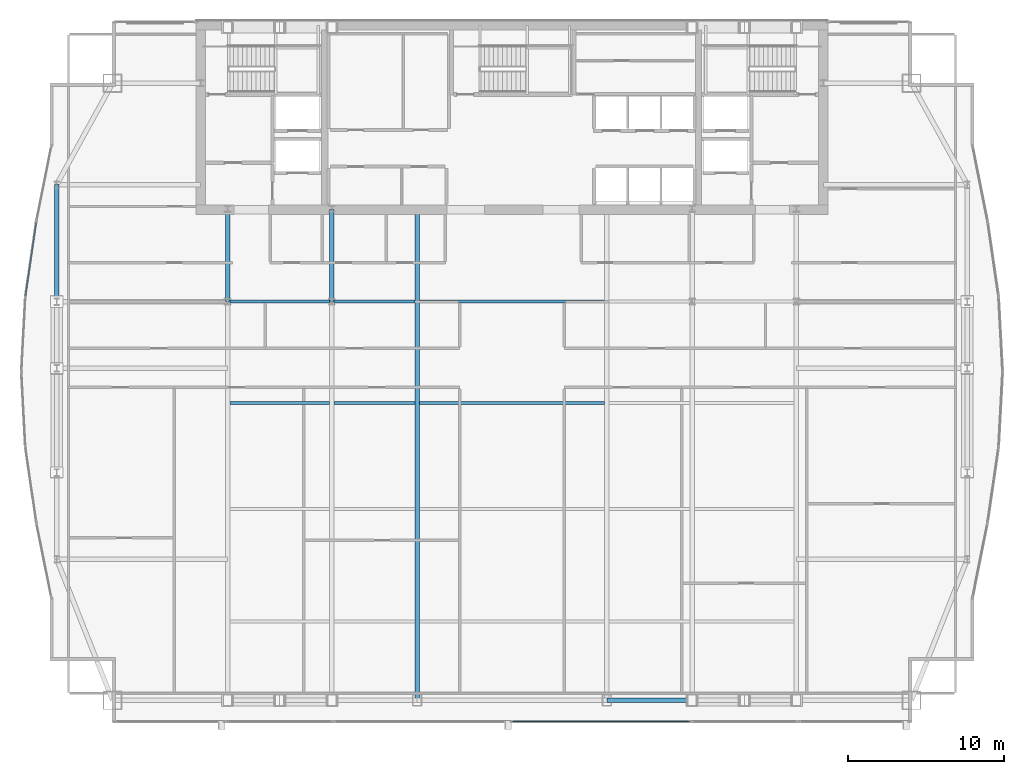
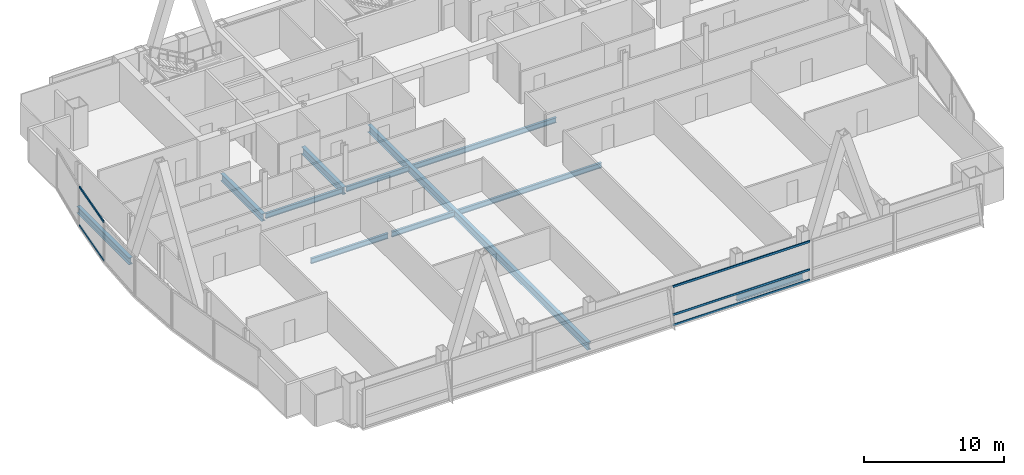
# One storey, part 12 of 32: 11 beams, 5 members, 2 elements without a shape of their own.
"""IFC4 building model written with IfcOpenShell, lengths in metres."""

import ifcopenshell
import ifcopenshell.guid

model = None  # the IFC model being written
_history = None  # IfcOwnerHistory: only IFC2X3 demands one
_inside = {}  # id of a spatial element -> (the spatial element, [elements in it])
_under = {}  # id of a project, library or spatial element -> (it, [spatial elements below it])
_declared = {}  # id of a project -> (the project, [libraries it declares])
_typed = {}  # id of a type object -> (the type object, [elements of that type])
_made_of = {}  # id of a material, layer set ... -> (it, [elements and type objects made of it])


def new_model(schema):
    """Start an empty IFC model of exactly this schema.

    Asked for "IFC4X3", IfcOpenShell would pick the latest addendum, in which some entities
    have other attributes; the version numbers below select the first issue.
    IFC2X3 requires an IfcOwnerHistory on every rooted entity: one is made here for all.
    """
    global model, _history
    if schema == "IFC4X3":
        model = ifcopenshell.file(schema_version=(4, 3, 0, 0))
    else:
        model = ifcopenshell.file(schema=schema)
    _inside.clear()
    _under.clear()
    _declared.clear()
    _typed.clear()
    _made_of.clear()
    _history = None
    if model.schema == "IFC2X3":
        org = make("IfcOrganization", Name="unknown")
        user = make(
            "IfcPersonAndOrganization",
            ThePerson=make("IfcPerson", FamilyName="unknown"),
            TheOrganization=org,
        )
        app = make(
            "IfcApplication",
            ApplicationDeveloper=org,
            Version="unknown",
            ApplicationFullName="unknown",
            ApplicationIdentifier="unknown",
        )
        _history = make(
            "IfcOwnerHistory",
            OwningUser=user,
            OwningApplication=app,
            ChangeAction="ADDED",
            CreationDate=0,
        )
    return model


def make(cls, **values):
    """One entity of the class cls with the attributes given. An attribute that is None is left unset."""
    return model.create_entity(
        cls, **{name: value for name, value in values.items() if value is not None}
    )


def rooted(cls, **values):
    """An entity with a GlobalId (a new one), such as an element, a storey or a relation."""
    return make(cls, GlobalId=ifcopenshell.guid.new(), OwnerHistory=_history, **values)


def si_unit(unit_type, name, prefix=None):
    """IfcSIUnit, for example si_unit("LENGTHUNIT", "METRE", prefix="MILLI")."""
    return make("IfcSIUnit", UnitType=unit_type, Prefix=prefix, Name=name)


def assignment(units):
    """IfcUnitAssignment: the units of a project."""
    return None if units is None else make("IfcUnitAssignment", Units=units)


def point(xyz):
    """IfcCartesianPoint."""
    return None if xyz is None else make("IfcCartesianPoint", Coordinates=xyz)


def direction(xyz):
    """IfcDirection."""
    return None if xyz is None else make("IfcDirection", DirectionRatios=xyz)


def frame(location, z_axis=None, x_axis=None):
    """IfcAxis2Placement3D, a coordinate frame: its origin and axes. An axis left out is left unset."""
    return make(
        "IfcAxis2Placement3D",
        Location=point(location),
        Axis=direction(z_axis),
        RefDirection=direction(x_axis),
    )


def frame_2d(location, x_axis=None):
    """IfcAxis2Placement2D, a coordinate frame in the plane: its origin and x axis."""
    return make(
        "IfcAxis2Placement2D", Location=point(location), RefDirection=direction(x_axis)
    )


def origin():
    """The frame at (0, 0, 0) with its axes left unset."""
    return frame((0.0, 0.0, 0.0))


def origin_2d():
    """The frame at (0, 0) in the plane with its x axis left unset."""
    return frame_2d((0.0, 0.0))


def place(relative_to, where):
    """IfcLocalPlacement: puts the frame where relative to a parent placement (None: the world)."""
    return make(
        "IfcLocalPlacement", PlacementRelTo=relative_to, RelativePlacement=where
    )


def context(
    kind, dimensions, precision=None, world=None, true_north=None, identifier=None
):
    """IfcGeometricRepresentationContext, for example the 3D "Model" context."""
    return make(
        "IfcGeometricRepresentationContext",
        ContextIdentifier=identifier,
        ContextType=kind,
        CoordinateSpaceDimension=dimensions,
        Precision=precision,
        WorldCoordinateSystem=world,
        TrueNorth=true_north,
    )


def subcontext(parent, identifier, kind, view, scale=None):
    """IfcGeometricRepresentationSubContext, for example "Body" below "Model"."""
    return make(
        "IfcGeometricRepresentationSubContext",
        ContextIdentifier=identifier,
        ContextType=kind,
        ParentContext=parent,
        TargetScale=scale,
        TargetView=view,
    )


def project(units=None, contexts=None):
    """IfcProject with its units and contexts."""
    return rooted(
        "IfcProject",
        Name="project",
        RepresentationContexts=contexts,
        UnitsInContext=assignment(units),
    )


def spatial(cls, under=None, at=None, **own):
    """A site, building, storey or space (cls), placed at a placement, below another one or the project."""
    s = rooted(cls, ObjectPlacement=at, **own)
    if under is not None:
        _under.setdefault(under.id(), (under, []))[1].append(s)
    return s


def profile(cls, at=None, kind="AREA", **sizes):
    """A parametric profile (cls). Its sizes go by their IFC names, for example OverallWidth=200.0."""
    return make(cls, ProfileType=kind, Position=at, **sizes)


def hollow_rectangle(**sizes):
    """IfcRectangleHollowProfileDef."""
    return profile("IfcRectangleHollowProfileDef", **sizes)


def i_section(**sizes):
    """IfcIShapeProfileDef."""
    return profile("IfcIShapeProfileDef", **sizes)


def extrude(swept, where, along, depth):
    """IfcExtrudedAreaSolid: the profile swept, set in the frame where, extruded along a direction by depth."""
    return make(
        "IfcExtrudedAreaSolid",
        SweptArea=swept,
        Position=where,
        ExtrudedDirection=direction(along),
        Depth=depth,
    )


def shape(context_of_items, identifier, shape_type, items):
    """IfcShapeRepresentation: the items that make up one representation, for example the "Body"."""
    return make(
        "IfcShapeRepresentation",
        ContextOfItems=context_of_items,
        RepresentationIdentifier=identifier,
        RepresentationType=shape_type,
        Items=items,
    )


def material(Name=None, Category=None):
    """IfcMaterial."""
    return make("IfcMaterial", Name=Name, Category=Category)


def material_profile(
    of_material, cross_section, Name=None, Category=None, Priority=None
):
    """IfcMaterialProfile: a cross section and its material."""
    return make(
        "IfcMaterialProfile",
        Name=Name,
        Material=of_material,
        Profile=cross_section,
        Priority=Priority,
        Category=Category,
    )


def profile_set(profiles, Name=None, composite=None):
    """IfcMaterialProfileSet."""
    return make(
        "IfcMaterialProfileSet",
        Name=Name,
        MaterialProfiles=profiles,
        CompositeProfile=composite,
    )


def made_of(thing, what):
    """Note that an element or type object is made of a material, layer set ...; save() writes the relation."""
    if what is not None:
        _made_of.setdefault(what.id(), (what, []))[1].append(thing)
    return thing


def type_object(cls, material=None, **own):
    """A type object (cls), such as IfcWallType, which elements share."""
    return made_of(rooted(cls, **own), material)


def element(
    cls,
    number,
    at=None,
    inside=None,
    cuts=None,
    type_object=None,
    material=None,
    context=None,
    identifier="Body",
    shape_type=None,
    held_by="IfcProductDefinitionShape",
    body=None,
    shapes=None,
    **own,
):
    """One element of the class cls, such as IfcWall. Its Tag is "e" and its number.

    at: its placement. inside: the storey or other place that contains it. cuts: it is an
    opening in that element (IfcRelVoidsElement). A single representation is given by context,
    identifier, shape_type and body (its items); several are given by shapes. held_by: the class
    of the entity that holds the representations. save() writes the other relations.
    """
    e = rooted(cls, Tag="e%d" % number, ObjectPlacement=at, **own)
    if body is not None:
        shapes = [shape(context, identifier, shape_type, body)]
    if shapes is not None:
        e.Representation = make(held_by, Representations=shapes)
    if inside is not None:
        _inside.setdefault(inside.id(), (inside, []))[1].append(e)
    if cuts is not None:
        rooted(
            "IfcRelVoidsElement", RelatingBuildingElement=cuts, RelatedOpeningElement=e
        )
    if type_object is not None:
        _typed.setdefault(type_object.id(), (type_object, []))[1].append(e)
    return made_of(e, material)


def aggregate(whole, parts):
    """IfcRelAggregates: a whole, such as a stair, and the parts it consists of."""
    return rooted("IfcRelAggregates", RelatingObject=whole, RelatedObjects=parts)


def save(model, path):
    """Write the relations noted so far, then the file.

    IfcRelAggregates (storeys below a building ...), IfcRelContainedInSpatialStructure (elements
    in a storey), IfcRelDefinesByType, IfcRelAssociatesMaterial and IfcRelDeclares: one each for
    every whole, place, type object, material and project.
    """
    for whole, parts in _under.values():
        aggregate(whole, parts)
    for where, things in _inside.values():
        rooted(
            "IfcRelContainedInSpatialStructure",
            RelatedElements=things,
            RelatingStructure=where,
        )
    for kind, things in _typed.values():
        rooted("IfcRelDefinesByType", RelatedObjects=things, RelatingType=kind)
    for what, things in _made_of.values():
        rooted("IfcRelAssociatesMaterial", RelatedObjects=things, RelatingMaterial=what)
    for by, libraries in _declared.values():
        rooted("IfcRelDeclares", RelatingContext=by, RelatedDefinitions=libraries)
    model.write(path)


model = new_model("IFC4")

# Units and contexts
model_context = context("Model", 3, precision=1e-05, world=origin(), true_north=direction((0.0, 1.0)))
body_context = subcontext(model_context, "Body", "Model", "MODEL_VIEW")
ifc_project = project(units=[si_unit("LENGTHUNIT", "METRE"), si_unit("AREAUNIT", "SQUARE_METRE"), si_unit("VOLUMEUNIT", "CUBIC_METRE"), si_unit("PLANEANGLEUNIT", "RADIAN"), si_unit("MASSUNIT", "GRAM", prefix="KILO")], contexts=[model_context])

# Site, building, storey
site_placement = place(None, origin())
site = spatial("IfcSite", under=ifc_project, at=site_placement, CompositionType="ELEMENT")
building_placement = place(site_placement, origin())
building = spatial("IfcBuilding", under=site, at=building_placement, Name="Khoronbel Lancet Exchange", CompositionType="ELEMENT")
storey_placement = place(building_placement, frame((0.0, 0.0, 221.0)))
storey = spatial("IfcBuildingStorey", under=building, at=storey_placement, Name="L56", CompositionType="ELEMENT", Elevation=221.0)

# Beams
ifc_material_1 = material(Name="Steel S355", Category="steel")
ifc_material_profile_1 = material_profile(ifc_material_1, i_section(OverallWidth=0.300048828125, OverallDepth=0.64990234375, WebThickness=0.01611328125, FlangeThickness=0.031005859375, at=origin_2d()), Name="HEB 650")
ifc_profile_set_1 = profile_set([ifc_material_profile_1], Name="Steel S355")
beam_type_1 = type_object("IfcBeamType", Name="BM-BG4", PredefinedType="BEAM", material=ifc_profile_set_1)
for number, where, z_axis, x_axis, name in (
    (1, (18.22509765625, 35.699951171875, -0.485107421875), (0.0, 1.0, 0.0), (-1.0, 0.0, 0.0), "Level L56 spine tie girder GN1"),
    (2, (24.89990234375, 35.699951171875, -0.485107421875), (0.0, 1.0, 0.0), (-1.0, 0.0, 0.0), "Level L56 spine tie girder GN2"),
):
    element("IfcBeam", number, at=place(storey_placement, frame(where, z_axis=z_axis, x_axis=x_axis)), inside=storey, type_object=beam_type_1, Name=name, PredefinedType="BEAM", context=body_context, shape_type="SweptSolid", body=[
        extrude(i_section(OverallWidth=0.300048828125, OverallDepth=0.64990234375, WebThickness=0.01611328125, FlangeThickness=0.031005859375, at=origin_2d()), origin(), (0.0, 0.0, 1.0), 5.900146484375),
    ])
beam_1_placement = place(storey_placement, frame((30.375, 10.14990234375, -0.485107421875), z_axis=(0.0, 1.0, 0.0), x_axis=(-1.0, 0.0, 0.0)))
element("IfcBeam", 3, at=beam_1_placement, inside=storey, type_object=beam_type_1, Name="Level L56 primary floor girder G3", PredefinedType="BEAM", context=body_context, shape_type="SweptSolid", body=[
    extrude(i_section(OverallWidth=0.300048828125, OverallDepth=0.64990234375, WebThickness=0.01611328125, FlangeThickness=0.031005859375, at=origin_2d()), origin(), (0.0, 0.0, 1.0), 31.4501953125),
])
ifc_material_profile_2 = material_profile(ifc_material_1, i_section(OverallWidth=0.18994140625, OverallDepth=0.449951171875, WebThickness=0.009521484375, FlangeThickness=0.0146484375, at=origin_2d()), Name="IPE 450")
ifc_profile_set_2 = profile_set([ifc_material_profile_2], Name="Steel S355")
beam_type_2 = type_object("IfcBeamType", Name="BM-BJ4", PredefinedType="JOIST", material=ifc_profile_set_2)
beam_2_placement = place(storey_placement, frame((18.375, 29.199951171875, -0.385009765625), z_axis=(1.0, 0.0, 0.0), x_axis=(0.0, 1.0, 0.0)))
element("IfcBeam", 4, at=beam_2_placement, inside=storey, type_object=beam_type_2, Name="Level L56 secondary composite joist J11", PredefinedType="JOIST", context=body_context, shape_type="SweptSolid", body=[
    extrude(i_section(OverallWidth=0.18994140625, OverallDepth=0.449951171875, WebThickness=0.009521484375, FlangeThickness=0.0146484375, at=origin_2d()), origin(), (0.0, 0.0, 1.0), 6.375),
])
beam_3_placement = place(storey_placement, frame((25.050048828125, 29.199951171875, -0.385009765625), z_axis=(1.0, 0.0, 0.0), x_axis=(0.0, 1.0, 0.0)))
element("IfcBeam", 5, at=beam_3_placement, inside=storey, type_object=beam_type_2, Name="Level L56 secondary composite joist J12", PredefinedType="JOIST", context=body_context, shape_type="SweptSolid", body=[
    extrude(i_section(OverallWidth=0.18994140625, OverallDepth=0.449951171875, WebThickness=0.009521484375, FlangeThickness=0.0146484375, at=origin_2d()), origin(), (0.0, 0.0, 1.0), 5.175048828125),
])
beam_4_placement = place(storey_placement, frame((30.52490234375, 29.199951171875, -0.385009765625), z_axis=(1.0, 0.0, 0.0), x_axis=(0.0, 1.0, 0.0)))
element("IfcBeam", 6, at=beam_4_placement, inside=storey, type_object=beam_type_2, Name="Level L56 secondary composite joist J13", PredefinedType="JOIST", context=body_context, shape_type="SweptSolid", body=[
    extrude(i_section(OverallWidth=0.18994140625, OverallDepth=0.449951171875, WebThickness=0.009521484375, FlangeThickness=0.0146484375, at=origin_2d()), origin(), (0.0, 0.0, 1.0), 11.85009765625),
])
beam_5_placement = place(storey_placement, frame((18.375, 35.699951171875, -0.385009765625), z_axis=(1.0, 0.0, 0.0), x_axis=(0.0, 1.0, 0.0)))
element("IfcBeam", 7, at=beam_5_placement, inside=storey, type_object=beam_type_2, Name="Level L56 secondary composite joist J16", PredefinedType="JOIST", context=body_context, shape_type="SweptSolid", body=[
    extrude(i_section(OverallWidth=0.18994140625, OverallDepth=0.449951171875, WebThickness=0.009521484375, FlangeThickness=0.0146484375, at=origin_2d()), origin(), (0.0, 0.0, 1.0), 6.375),
])
beam_6_placement = place(storey_placement, frame((25.050048828125, 35.699951171875, -0.385009765625), z_axis=(1.0, 0.0, 0.0), x_axis=(0.0, 1.0, 0.0)))
element("IfcBeam", 8, at=beam_6_placement, inside=storey, type_object=beam_type_2, Name="Level L56 secondary composite joist J17", PredefinedType="JOIST", context=body_context, shape_type="SweptSolid", body=[
    extrude(i_section(OverallWidth=0.18994140625, OverallDepth=0.449951171875, WebThickness=0.009521484375, FlangeThickness=0.0146484375, at=origin_2d()), origin(), (0.0, 0.0, 1.0), 5.175048828125),
])
beam_7_placement = place(storey_placement, frame((30.52490234375, 35.699951171875, -0.385009765625), z_axis=(1.0, 0.0, 0.0), x_axis=(0.0, 1.0, 0.0)))
element("IfcBeam", 9, at=beam_7_placement, inside=storey, type_object=beam_type_2, Name="Level L56 secondary composite joist J18", PredefinedType="JOIST", context=body_context, shape_type="SweptSolid", body=[
    extrude(i_section(OverallWidth=0.18994140625, OverallDepth=0.449951171875, WebThickness=0.009521484375, FlangeThickness=0.0146484375, at=origin_2d()), origin(), (0.0, 0.0, 1.0), 11.85009765625),
])
ifc_material_profile_3 = material_profile(ifc_material_1, i_section(OverallWidth=0.300048828125, OverallDepth=0.60009765625, WebThickness=0.015380859375, FlangeThickness=0.030029296875, at=origin_2d()), Name="HEB 600")
ifc_profile_set_3 = profile_set([ifc_material_profile_3], Name="Steel S355")
beam_type_3 = type_object("IfcBeamType", Name="BM-BSP2", PredefinedType="SPANDREL", material=ifc_profile_set_3)
beam_8_placement = place(storey_placement, frame((42.52490234375, 10.14990234375, -0.4599609375), z_axis=(1.0, 0.0, 0.0), x_axis=(0.0, 1.0, 0.0)))
element("IfcBeam", 10, at=beam_8_placement, inside=storey, type_object=beam_type_3, Name="Level L56 perimeter spandrel beam SP06", PredefinedType="SPANDREL", context=body_context, shape_type="SweptSolid", body=[
    extrude(i_section(OverallWidth=0.300048828125, OverallDepth=0.60009765625, WebThickness=0.015380859375, FlangeThickness=0.030029296875, at=origin_2d()), origin(), (0.0, 0.0, 1.0), 5.47509765625),
])
beam_9_placement = place(storey_placement, frame((7.27001953125, 43.199951171875, -0.4599609375), z_axis=(0.0, -1.0, 0.0), x_axis=(1.0, 0.0, 0.0)))
element("IfcBeam", 11, at=beam_9_placement, inside=storey, type_object=beam_type_3, Name="Level L56 perimeter spandrel beam SP17", PredefinedType="SPANDREL", context=body_context, shape_type="SweptSolid", body=[
    extrude(i_section(OverallWidth=0.300048828125, OverallDepth=0.60009765625, WebThickness=0.015380859375, FlangeThickness=0.030029296875, at=origin_2d()), origin(), (0.0, 0.0, 1.0), 7.5),
])

# Curtain wall, members
ifc_material_2 = material(Name="Low-E Solar Control Insulating Glass", Category="glass")
curtain_wall_type_1 = type_object("IfcCurtainWallType", Name="CW-4", PredefinedType="NOTDEFINED", material=ifc_material_2)
curtain_wall_1_placement = place(storey_placement, origin())
curtain_wall_1 = element("IfcCurtainWall", 12, at=curtain_wall_1_placement, inside=storey, type_object=curtain_wall_type_1, Name="Unitised curtain wall CW-L56-E08", PredefinedType="NOTDEFINED")
ifc_material_3 = material(Name="Bronze-Anodised Aluminium 6063-T6", Category="aluminium")
ifc_material_profile_4 = material_profile(ifc_material_3, hollow_rectangle(XDim=0.0849609375, YDim=0.179931640625, WallThickness=0.0048828125, at=origin_2d()), Name="ALU TRANSOM 85x180")
ifc_profile_set_4 = profile_set([ifc_material_profile_4], Name="Bronze-Anodised Aluminium 6063-T6")
member_type = type_object("IfcMemberType", Name="MEM-CWT1", PredefinedType="USERDEFINED", material=ifc_profile_set_4)
member_1_placement = place(storey_placement, frame((5.27880859375, 36.0986328125, 0.04248046875), z_axis=(0.144630258354, 0.989485769665, 0.0), x_axis=(-0.989485769665, 0.144630258354, 0.0)))
member_1 = element("IfcMember", 13, at=member_1_placement, type_object=member_type, Name="CW4 transom 1.1", ObjectType="TRANSOM", PredefinedType="USERDEFINED", context=body_context, shape_type="SweptSolid", body=[
    extrude(hollow_rectangle(XDim=0.0849609375, YDim=0.179931640625, WallThickness=0.0048828125, at=origin_2d()), origin(), (0.0, 0.0, 1.0), 4.728271484375),
])
member_2_placement = place(storey_placement, frame((5.27880859375, 36.0986328125, 3.3974609375), z_axis=(0.144630258354, 0.989485769665, 0.0), x_axis=(-0.989485769665, 0.144630258354, 0.0)))
member_2 = element("IfcMember", 14, at=member_2_placement, type_object=member_type, Name="CW4 transom 1.2", ObjectType="TRANSOM", PredefinedType="USERDEFINED", context=body_context, shape_type="SweptSolid", body=[
    extrude(hollow_rectangle(XDim=0.0849609375, YDim=0.179931640625, WallThickness=0.0048828125, at=origin_2d()), origin(), (0.0, 0.0, 1.0), 4.728271484375),
])
aggregate(curtain_wall_1, [member_1, member_2])

curtain_wall_type_2 = type_object("IfcCurtainWallType", Name="CW-3", PredefinedType="NOTDEFINED", material=ifc_material_2)
curtain_wall_2_placement = place(storey_placement, origin())
curtain_wall_2 = element("IfcCurtainWall", 15, at=curtain_wall_2_placement, inside=storey, type_object=curtain_wall_type_2, Name="Unitised curtain wall CW-L56-SCV", PredefinedType="NOTDEFINED")
member_3_placement = place(storey_placement, frame((36.492431640625, 8.7900390625, 0.04248046875), z_axis=(1.0, 0.0, 0.0), x_axis=(0.0, 1.0, 0.0)))
member_3 = element("IfcMember", 16, at=member_3_placement, type_object=member_type, Name="CW3 transom 2.1", ObjectType="TRANSOM", PredefinedType="USERDEFINED", context=body_context, shape_type="SweptSolid", body=[
    extrude(hollow_rectangle(XDim=0.0849609375, YDim=0.179931640625, WallThickness=0.0048828125, at=origin_2d()), origin(), (0.0, 0.0, 1.0), 11.322509765625),
])
member_4_placement = place(storey_placement, frame((36.492431640625, 8.7900390625, 0.949951171875), z_axis=(1.0, 0.0, 0.0), x_axis=(0.0, 1.0, 0.0)))
member_4 = element("IfcMember", 17, at=member_4_placement, type_object=member_type, Name="CW3 transom 2.2", ObjectType="TRANSOM", PredefinedType="USERDEFINED", context=body_context, shape_type="SweptSolid", body=[
    extrude(hollow_rectangle(XDim=0.0849609375, YDim=0.179931640625, WallThickness=0.0048828125, at=origin_2d()), origin(), (0.0, 0.0, 1.0), 11.322509765625),
])
member_5_placement = place(storey_placement, frame((36.492431640625, 8.7900390625, 3.3974609375), z_axis=(1.0, 0.0, 0.0), x_axis=(0.0, 1.0, 0.0)))
member_5 = element("IfcMember", 18, at=member_5_placement, type_object=member_type, Name="CW3 transom 2.3", ObjectType="TRANSOM", PredefinedType="USERDEFINED", context=body_context, shape_type="SweptSolid", body=[
    extrude(hollow_rectangle(XDim=0.0849609375, YDim=0.179931640625, WallThickness=0.0048828125, at=origin_2d()), origin(), (0.0, 0.0, 1.0), 11.322509765625),
])
aggregate(curtain_wall_2, [member_3, member_4, member_5])

save(model, "model.ifc")
